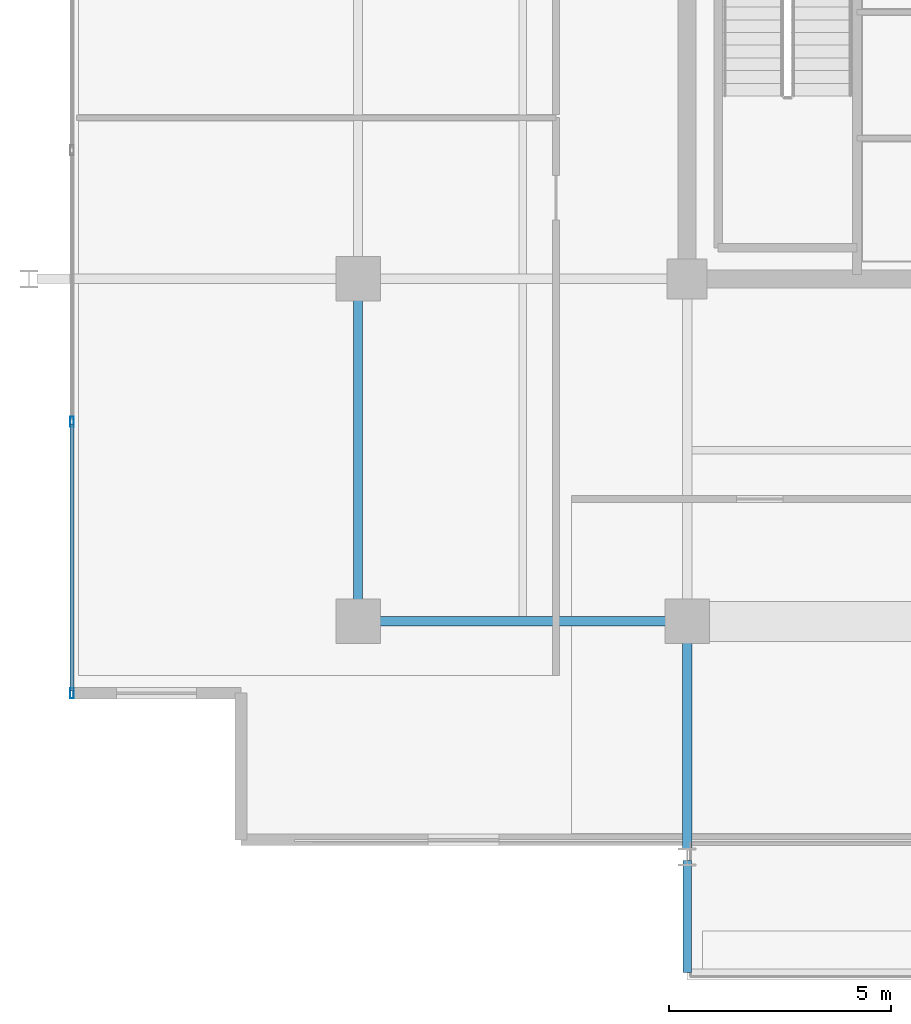
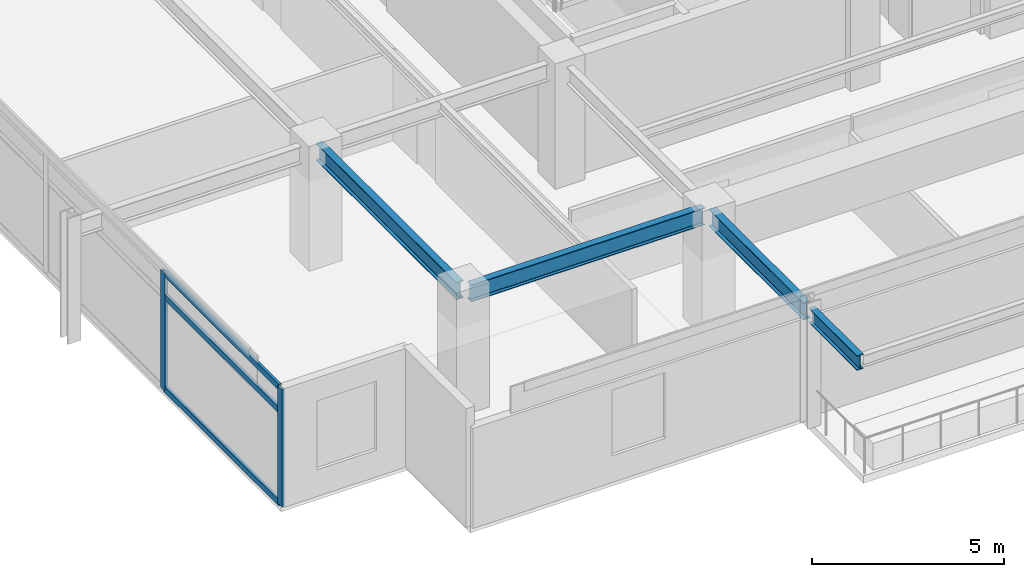
# One storey, part 2 of 20: 5 members, 4 beams, 1 element without a shape of its own.
"""IFC4 building model written with IfcOpenShell, lengths in metres."""

from ifc_helpers import new_model, si_unit, direction, frame, origin, origin_2d, place, context, subcontext, project, spatial, hollow_rectangle, i_section, extrude, material, material_profile, profile_set, type_object, element, aggregate, save


model = new_model("IFC4")

# Units and contexts
model_context = context("Model", 3, precision=1e-05, world=origin(), true_north=direction((0.0, 1.0)))
body_context = subcontext(model_context, "Body", "Model", "MODEL_VIEW")
ifc_project = project(units=[si_unit("LENGTHUNIT", "METRE"), si_unit("AREAUNIT", "SQUARE_METRE"), si_unit("VOLUMEUNIT", "CUBIC_METRE"), si_unit("PLANEANGLEUNIT", "RADIAN"), si_unit("MASSUNIT", "GRAM", prefix="KILO")], contexts=[model_context])

# Site, building, storey
site_placement = place(None, origin())
site = spatial("IfcSite", under=ifc_project, at=site_placement, CompositionType="ELEMENT")
building_placement = place(site_placement, origin())
building = spatial("IfcBuilding", under=site, at=building_placement, Name="Kovane Verandah Tower", CompositionType="ELEMENT")
storey_placement = place(building_placement, frame((0.0, 0.0, 318.800048828125)))
storey = spatial("IfcBuildingStorey", under=building, at=storey_placement, Name="L74", CompositionType="ELEMENT", Elevation=318.800048828125)

# Beams
ifc_material_1 = material(Name="Steel S355", Category="steel")
ifc_material_profile_1 = material_profile(ifc_material_1, i_section(OverallWidth=0.2119140625, OverallDepth=0.54443359375, WebThickness=0.0126953125, FlangeThickness=0.021240234375, FilletRadius=0.0126953125, at=origin_2d()), Name="UB533x210x122")
ifc_profile_set_1 = profile_set([ifc_material_profile_1], Name="Steel S355")
beam_type_1 = type_object("IfcBeamType", Name="BM-UB533x122", PredefinedType="BEAM", material=ifc_profile_set_1)
beam_1_placement = place(storey_placement, frame((21.780029296875, 10.800048828125, 3.5126953125), z_axis=(1.0, 0.0, 0.0), x_axis=(0.0, 1.0, 0.0)))
element("IfcBeam", 1, at=beam_1_placement, inside=storey, type_object=beam_type_1, Name="L74 Primary Tower Girder G-RS1", PredefinedType="BEAM", context=body_context, shape_type="SweptSolid", body=[
    extrude(i_section(OverallWidth=0.2119140625, OverallDepth=0.54443359375, WebThickness=0.0126953125, FlangeThickness=0.021240234375, FilletRadius=0.0126953125, at=origin_2d()), origin(), (0.0, 0.0, 1.0), 7.0400390625),
])
beam_2_placement = place(storey_placement, frame((21.60009765625, 10.97998046875, 3.5126953125), z_axis=(0.0, 1.0, 0.0), x_axis=(-1.0, 0.0, 0.0)))
element("IfcBeam", 2, at=beam_2_placement, inside=storey, type_object=beam_type_1, Name="L74 Primary Tower Girder G-RW1", PredefinedType="BEAM", context=body_context, shape_type="SweptSolid", body=[
    extrude(i_section(OverallWidth=0.2119140625, OverallDepth=0.54443359375, WebThickness=0.0126953125, FlangeThickness=0.021240234375, FilletRadius=0.0126953125, at=origin_2d()), origin(), (0.0, 0.0, 1.0), 7.340087890625),
])
beam_3_placement = place(storey_placement, frame((29.0, 10.6201171875, 3.48779296875), z_axis=(0.0, -1.0, 0.0), x_axis=(1.0, 0.0, 0.0)))
element("IfcBeam", 3, at=beam_3_placement, inside=storey, type_object=beam_type_1, Name="L74 Primary Tower Girder G-VS1", PredefinedType="BEAM", context=body_context, shape_type="SweptSolid", body=[
    extrude(i_section(OverallWidth=0.2119140625, OverallDepth=0.54443359375, WebThickness=0.0126953125, FlangeThickness=0.021240234375, FilletRadius=0.0126953125, at=origin_2d()), origin(), (0.0, 0.0, 1.0), 4.940185546875),
])

# Curtain wall, members
ifc_material_2 = material(Name="Champagne Anodised Aluminium Frame with Low-E Clear Laminated Glass", Category="aluminium")
curtain_wall_type = type_object("IfcCurtainWallType", Name="CW-SYS-05-HIGH", PredefinedType="NOTDEFINED", material=ifc_material_2)
curtain_wall_placement = place(storey_placement, origin())
curtain_wall = element("IfcCurtainWall", 4, at=curtain_wall_placement, inside=storey, type_object=curtain_wall_type, Name="L74 W Unitised Curtain Wall", PredefinedType="NOTDEFINED")
ifc_material_3 = material(Name="Champagne Anodised Aluminium 6063-T6", Category="aluminium")
ifc_material_profile_2 = material_profile(ifc_material_3, hollow_rectangle(XDim=0.0849609375, YDim=0.22998046875, WallThickness=0.00390625, at=origin_2d()), Name="AL85x230x4")
ifc_profile_set_2 = profile_set([ifc_material_profile_2], Name="Champagne Anodised Aluminium 6063-T6")
member_type_1 = type_object("IfcMemberType", Name="CW-MUL-85x230", PredefinedType="MULLION", material=ifc_profile_set_2)
member_1_placement = place(storey_placement, frame((15.16845703125, 15.28955078125, 0.02001953125), z_axis=(0.0, 0.0, 1.0), x_axis=(-1.0, 0.0, 0.0)))
member_1 = element("IfcMember", 5, at=member_1_placement, type_object=member_type_1, Name="L74 W Unitised Curtain Wall Mullion 6", PredefinedType="MULLION", context=body_context, shape_type="SweptSolid", body=[
    extrude(hollow_rectangle(XDim=0.0849609375, YDim=0.22998046875, WallThickness=0.00390625, at=origin_2d()), origin(), (0.0, 0.0, 1.0), 3.744873046875),
])
member_2_placement = place(storey_placement, frame((15.16845703125, 9.184326171875, 0.02001953125), z_axis=(0.0, 0.0, 1.0), x_axis=(-1.0, 0.0, 0.0)))
member_2 = element("IfcMember", 6, at=member_2_placement, type_object=member_type_1, Name="L74 W Unitised Curtain Wall Mullion 7", PredefinedType="MULLION", context=body_context, shape_type="SweptSolid", body=[
    extrude(hollow_rectangle(XDim=0.0849609375, YDim=0.22998046875, WallThickness=0.00390625, at=origin_2d()), origin(), (0.0, 0.0, 1.0), 3.744873046875),
])
ifc_material_profile_3 = material_profile(ifc_material_3, hollow_rectangle(XDim=0.0849609375, YDim=0.18994140625, WallThickness=0.00390625, at=origin_2d()), Name="AL85x190x4")
ifc_profile_set_3 = profile_set([ifc_material_profile_3], Name="Champagne Anodised Aluminium 6063-T6")
member_type_2 = type_object("IfcMemberType", Name="CW-TRN-85x190", PredefinedType="USERDEFINED", material=ifc_profile_set_3)
member_3_placement = place(storey_placement, frame((15.16845703125, 15.239501953125, 0.050048828125), z_axis=(0.0, -1.0, 0.0), x_axis=(1.0, 0.0, 0.0)))
member_3 = element("IfcMember", 7, at=member_3_placement, type_object=member_type_2, Name="L74 W Unitised Curtain Wall Transom TB Bay 6", ObjectType="TRANSOM", PredefinedType="USERDEFINED", context=body_context, shape_type="SweptSolid", body=[
    extrude(hollow_rectangle(XDim=0.0849609375, YDim=0.18994140625, WallThickness=0.00390625, at=origin_2d()), origin(), (0.0, 0.0, 1.0), 6.005126953125),
])
member_4_placement = place(storey_placement, frame((15.16845703125, 15.239501953125, 3.0048828125), z_axis=(0.0, -1.0, 0.0), x_axis=(1.0, 0.0, 0.0)))
member_4 = element("IfcMember", 8, at=member_4_placement, type_object=member_type_2, Name="L74 W Unitised Curtain Wall Transom TM Bay 6", ObjectType="TRANSOM", PredefinedType="USERDEFINED", context=body_context, shape_type="SweptSolid", body=[
    extrude(hollow_rectangle(XDim=0.0849609375, YDim=0.18994140625, WallThickness=0.00390625, at=origin_2d()), origin(), (0.0, 0.0, 1.0), 6.005126953125),
])
member_5_placement = place(storey_placement, frame((15.16845703125, 15.239501953125, 3.73486328125), z_axis=(0.0, -1.0, 0.0), x_axis=(1.0, 0.0, 0.0)))
member_5 = element("IfcMember", 9, at=member_5_placement, type_object=member_type_2, Name="L74 W Unitised Curtain Wall Transom TT Bay 6", ObjectType="TRANSOM", PredefinedType="USERDEFINED", context=body_context, shape_type="SweptSolid", body=[
    extrude(hollow_rectangle(XDim=0.0849609375, YDim=0.18994140625, WallThickness=0.00390625, at=origin_2d()), origin(), (0.0, 0.0, 1.0), 6.005126953125),
])
aggregate(curtain_wall, [member_1, member_2, member_3, member_4, member_5])

# Beam
ifc_material_profile_4 = material_profile(ifc_material_1, i_section(OverallWidth=0.19287109375, OverallDepth=0.46728515625, WebThickness=0.011474609375, FlangeThickness=0.01953125, FilletRadius=0.01025390625, at=origin_2d()), Name="UB457x191x98")
ifc_profile_set_4 = profile_set([ifc_material_profile_4], Name="Steel S355")
beam_type_2 = type_object("IfcBeamType", Name="JST-UB457x98", PredefinedType="JOIST", material=ifc_profile_set_4)
beam_4_placement = place(storey_placement, frame((29.0, 5.419921875, 3.5263671875), z_axis=(0.0, -1.0, 0.0), x_axis=(1.0, 0.0, 0.0)))
element("IfcBeam", 10, at=beam_4_placement, inside=storey, type_object=beam_type_2, Name="L74 South Planter Girder 1", PredefinedType="JOIST", context=body_context, shape_type="SweptSolid", body=[
    extrude(i_section(OverallWidth=0.19287109375, OverallDepth=0.46728515625, WebThickness=0.011474609375, FlangeThickness=0.01953125, FilletRadius=0.01025390625, at=origin_2d()), origin(), (0.0, 0.0, 1.0), 2.52001953125),
])

save(model, "model.ifc")
